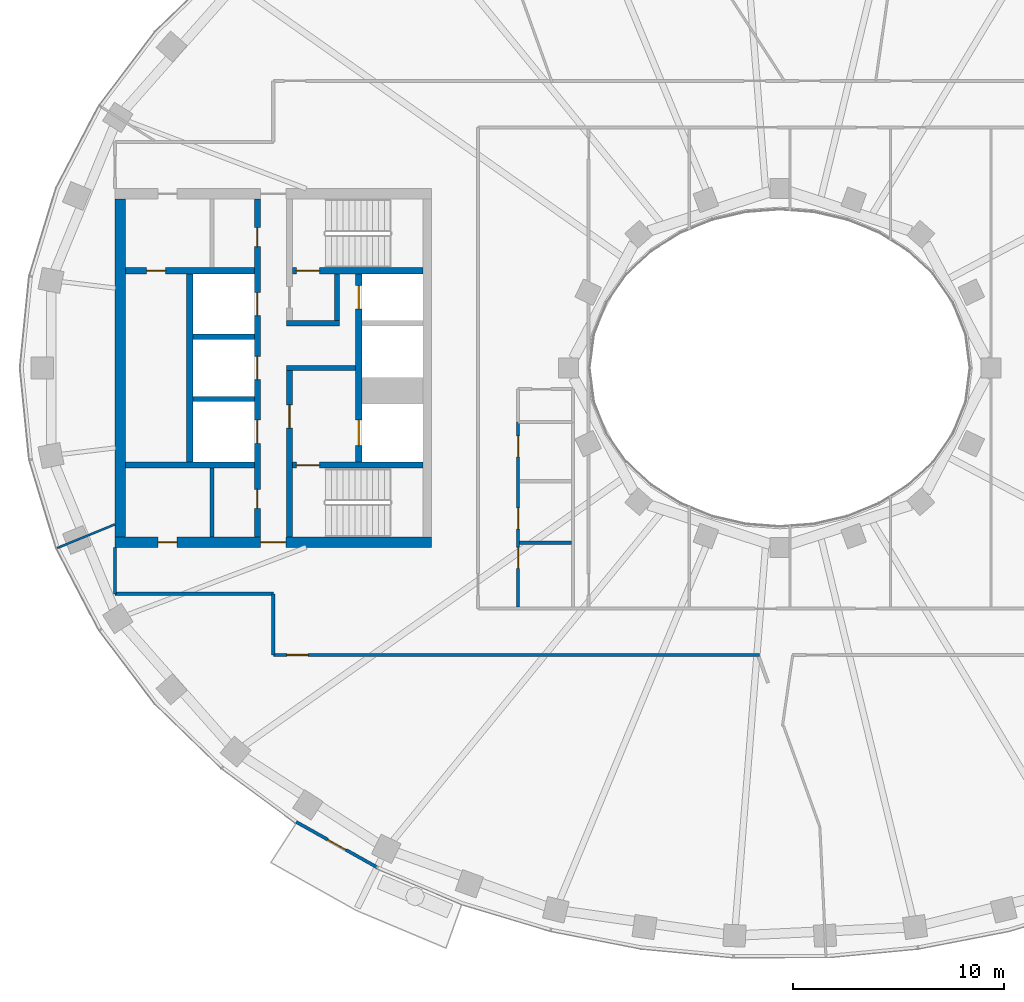
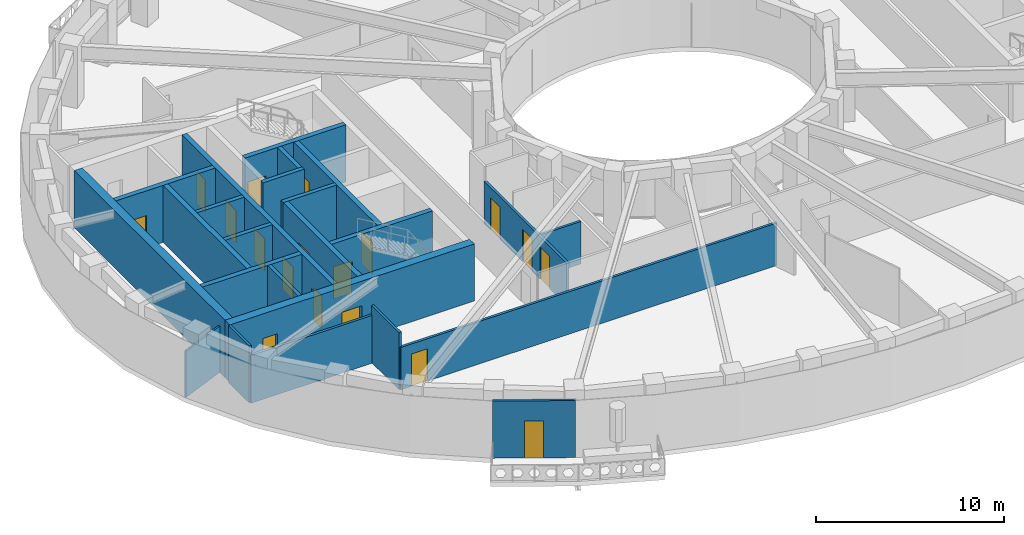
# One storey, part 3 of 15: 24 walls, 18 doors, 18 openings.
"""IFC4 building model written with IfcOpenShell, lengths in metres."""

from ifc_helpers import new_model, si_unit, direction, frame, frame_2d, origin, place, context, subcontext, project, spatial, rectangle, extrude, material, layer, layer_set, type_object, element, fill, save


model = new_model("IFC4")

# Units and contexts
model_context = context("Model", 3, precision=1e-05, world=origin(), true_north=direction((0.0, 1.0)))
body_context = subcontext(model_context, "Body", "Model", "MODEL_VIEW")
ifc_project = project(units=[si_unit("LENGTHUNIT", "METRE"), si_unit("AREAUNIT", "SQUARE_METRE"), si_unit("VOLUMEUNIT", "CUBIC_METRE"), si_unit("PLANEANGLEUNIT", "RADIAN"), si_unit("MASSUNIT", "GRAM", prefix="KILO")], contexts=[model_context])

# Site, building, storey
site_placement = place(None, origin())
site = spatial("IfcSite", under=ifc_project, at=site_placement, CompositionType="ELEMENT")
building_placement = place(site_placement, origin())
building = spatial("IfcBuilding", under=site, at=building_placement, Name="Noorbagh Ring Tower", CompositionType="ELEMENT")
storey_placement = place(building_placement, frame((0.0, 0.0, 277.5)))
storey = spatial("IfcBuildingStorey", under=building, at=storey_placement, Name="L59", CompositionType="ELEMENT", Elevation=277.5)

# Walls
ifc_material_1 = material(Name="Gypsum board on steel studs", Category="steel")
ifc_layer_1 = layer(ifc_material_1, 0.199951171875)
ifc_layer_set_1 = layer_set([ifc_layer_1], Name="Gypsum board on steel studs")
wall_type_1 = type_object("IfcWallType", Name="CORE-PARTITION-200", PredefinedType="PARTITIONING", material=ifc_layer_set_1)
wall_1_placement = place(storey_placement, frame((-26.89990234375, -8.0, 0.0), z_axis=(0.0, 0.0, 1.0), x_axis=(0.0, 1.0, 0.0)))
element("IfcWall", 1, at=wall_1_placement, inside=storey, type_object=wall_type_1, Name="Core partition W", PredefinedType="PARTITIONING", context=body_context, shape_type="SweptSolid", body=[
    extrude(rectangle(XDim=3.25, YDim=0.199951171875, at=frame_2d((1.625, 0.0))), origin(), (0.0, 0.0, 1.0), 3.699951171875),
])
ifc_material_2 = material(Name="Concrete C60/75", Category="concrete")
ifc_layer_2 = layer(ifc_material_2, 0.25)
ifc_layer_set_2 = layer_set([ifc_layer_2], Name="Concrete C60/75")
wall_type_2 = type_object("IfcWallType", Name="CORE-WALL-250-C60-75-EI120", PredefinedType="SHEAR", material=ifc_layer_set_2)
for number, where, z_axis, x_axis, name in (
    (2, (-24.89990234375, -1.47509765625, 0.0), (0.0, 0.0, 1.0), (-1.0, 0.0, 0.0), "Core wall W"),
    (3, (-24.89990234375, 1.47509765625, 0.0), (0.0, 0.0, 1.0), (-1.0, 0.0, 0.0), "Core wall W"),
):
    element("IfcWall", number, at=place(storey_placement, frame(where, z_axis=z_axis, x_axis=x_axis)), inside=storey, type_object=wall_type_2, Name=name, PredefinedType="SHEAR", context=body_context, shape_type="SweptSolid", body=[
        extrude(rectangle(XDim=2.900146484375, YDim=0.25, at=frame_2d((1.4501953125, 0.0))), origin(), (0.0, 0.0, 1.0), 3.699951171875),
    ])
ifc_material_3 = material(Name="Concrete C60/75", Category="concrete")
ifc_layer_3 = layer(ifc_material_3, 0.25)
ifc_layer_set_3 = layer_set([ifc_layer_3], Name="Concrete C60/75")
wall_type_3 = type_object("IfcWallType", Name="CORE-WALL-250-C60-75-EI240", PredefinedType="SHEAR", material=ifc_layer_set_3)
wall_2_placement = place(storey_placement, frame((-20.10009765625, 0.0, 0.0), z_axis=(0.0, 0.0, 1.0), x_axis=(-1.0, 0.0, 0.0)))
element("IfcWall", 4, at=wall_2_placement, inside=storey, type_object=wall_type_3, Name="Core wall W", PredefinedType="SHEAR", context=body_context, shape_type="SweptSolid", body=[
    extrude(rectangle(XDim=3.27978515625, YDim=0.25, at=frame_2d((1.639892578125, 0.0))), origin(), (0.0, 0.0, 1.0), 3.699951171875),
])
wall_3_placement = place(storey_placement, frame((-20.85009765625, 2.125, 0.0), z_axis=(0.0, 0.0, 1.0), x_axis=(-1.0, 0.0, 0.0)))
element("IfcWall", 5, at=wall_3_placement, inside=storey, type_object=wall_type_3, Name="Core wall W", PredefinedType="SHEAR", context=body_context, shape_type="SweptSolid", body=[
    extrude(rectangle(XDim=2.52978515625, YDim=0.25, at=frame_2d((1.264892578125, 0.0))), origin(), (0.0, 0.0, 1.0), 3.699951171875),
])
wall_4_placement = place(storey_placement, frame((-20.97509765625, 2.25, 0.0), z_axis=(0.0, 0.0, 1.0), x_axis=(0.0, 1.0, 0.0)))
element("IfcWall", 6, at=wall_4_placement, inside=storey, type_object=wall_type_3, Name="Core wall W", PredefinedType="SHEAR", context=body_context, shape_type="SweptSolid", body=[
    extrude(rectangle(XDim=2.199951171875, YDim=0.25, at=frame_2d((1.10009765625, 0.0))), origin(), (0.0, 0.0, 1.0), 3.699951171875),
])
ifc_material_4 = material(Name="Concrete C60/75", Category="concrete")
ifc_layer_4 = layer(ifc_material_4, 0.300048828125)
ifc_layer_set_4 = layer_set([ifc_layer_4], Name="Concrete C60/75")
wall_type_4 = type_object("IfcWallType", Name="CORE-WALL-300-C60-75-EI120", PredefinedType="SHEAR", material=ifc_layer_set_4)
wall_5_placement = place(storey_placement, frame((-27.949951171875, -4.449951171875, 0.0), z_axis=(0.0, 0.0, 1.0), x_axis=(0.0, 1.0, 0.0)))
element("IfcWall", 7, at=wall_5_placement, inside=storey, type_object=wall_type_4, Name="Core wall W", PredefinedType="SHEAR", context=body_context, shape_type="SweptSolid", body=[
    extrude(rectangle(XDim=8.89990234375, YDim=0.300048828125, at=frame_2d((4.449951171875, 0.0))), origin(), (0.0, 0.0, 1.0), 3.699951171875),
])

# Wall, openings, doors
wall_6_placement = place(storey_placement, frame((-19.949951171875, -4.449951171875, 0.0), z_axis=(0.0, 0.0, 1.0), x_axis=(0.0, 1.0, 0.0)))
wall_6 = element("IfcWall", 8, at=wall_6_placement, inside=storey, type_object=wall_type_4, Name="Core wall W", PredefinedType="SHEAR", context=body_context, shape_type="SweptSolid", body=[
    extrude(rectangle(XDim=8.89990234375, YDim=0.300048828125, at=frame_2d((4.449951171875, 0.0))), origin(), (0.0, 0.0, 1.0), 3.699951171875),
])
opening_1_placement = place(wall_6_placement, frame((0.77490234375, 0.0, 0.0)))
opening_1 = element("IfcOpeningElement", 9, at=opening_1_placement, cuts=wall_6, Name="Opening L59-CW01", PredefinedType="OPENING", context=body_context, shape_type="SweptSolid", body=[
    extrude(rectangle(XDim=1.199951171875, YDim=2.10009765625, at=frame_2d((0.60009765625, 1.050048828125))), frame((0.0, 0.16015625, 0.0), z_axis=(0.0, -1.0, 0.0), x_axis=(1.0, 0.0, 0.0)), (0.0, 0.0, 1.0), 0.320068359375),
])
opening_2_placement = place(wall_6_placement, frame((7.25, 0.0, 0.0)))
opening_2 = element("IfcOpeningElement", 10, at=opening_2_placement, cuts=wall_6, Name="Opening L59-CW02", PredefinedType="OPENING", context=body_context, shape_type="SweptSolid", body=[
    extrude(rectangle(XDim=1.10009765625, YDim=2.10009765625, at=frame_2d((0.550048828125, 1.050048828125))), frame((0.0, 0.16015625, 0.0), z_axis=(0.0, -1.0, 0.0), x_axis=(1.0, 0.0, 0.0)), (0.0, 0.0, 1.0), 0.320068359375),
])
ifc_material_5 = material(Name="Steel door leaf", Category="steel")
door_type_1 = type_object("IfcDoorType", Name="CORE-DOOR-LD", OperationType="DOUBLE_DOOR_SLIDING", PredefinedType="DOOR", material=ifc_material_5)
door_1_placement = place(opening_2_placement, origin())
door_1 = element("IfcDoor", 11, at=door_1_placement, inside=storey, type_object=door_type_1, Name="Landing door HR1 L59-CW02", OperationType="DOUBLE_DOOR_SLIDING", OverallHeight=2.10009765625, OverallWidth=1.10009765625, PredefinedType="DOOR", context=body_context, shape_type="SweptSolid", body=[
    extrude(rectangle(XDim=1.10009765625, YDim=2.10009765625, at=frame_2d((0.550048828125, 1.050048828125))), frame((0.0, 0.02490234375, 0.0), z_axis=(0.0, -1.0, 0.0), x_axis=(1.0, 0.0, 0.0)), (0.0, 0.0, 1.0), 0.050048828125),
])
fill(opening_2, door_1)
ifc_material_6 = material(Name="Steel door leaf", Category="steel")
door_type_2 = type_object("IfcDoorType", Name="CORE-DOOR-LDW", OperationType="DOUBLE_DOOR_SLIDING", PredefinedType="DOOR", material=ifc_material_6)
door_2_placement = place(opening_1_placement, origin())
door_2 = element("IfcDoor", 12, at=door_2_placement, inside=storey, type_object=door_type_2, Name="Landing door FF1 L59-CW01", OperationType="DOUBLE_DOOR_SLIDING", OverallHeight=2.10009765625, OverallWidth=1.199951171875, PredefinedType="DOOR", context=body_context, shape_type="SweptSolid", body=[
    extrude(rectangle(XDim=1.199951171875, YDim=2.10009765625, at=frame_2d((0.60009765625, 1.050048828125))), frame((0.0, 0.02490234375, 0.0), z_axis=(0.0, -1.0, 0.0), x_axis=(1.0, 0.0, 0.0)), (0.0, 0.0, 1.0), 0.050048828125),
])
fill(opening_1, door_2)

wall_7_placement = place(storey_placement, frame((-24.75, -8.0, 0.0), z_axis=(0.0, 0.0, 1.0), x_axis=(0.0, 1.0, 0.0)))
wall_7 = element("IfcWall", 13, at=wall_7_placement, inside=storey, type_object=wall_type_4, Name="Core wall W", PredefinedType="SHEAR", context=body_context, shape_type="SweptSolid", body=[
    extrude(rectangle(XDim=16.0, YDim=0.300048828125, at=frame_2d((8.0, 0.0))), origin(), (0.0, 0.0, 1.0), 3.699951171875),
])
opening_3_placement = place(wall_7_placement, frame((4.425048828125, 0.0, 0.0)))
opening_3 = element("IfcOpeningElement", 14, at=opening_3_placement, cuts=wall_7, Name="Opening L59-CW03", PredefinedType="OPENING", context=body_context, shape_type="SweptSolid", body=[
    extrude(rectangle(XDim=1.10009765625, YDim=2.10009765625, at=frame_2d((0.550048828125, 1.050048828125))), frame((0.0, 0.16015625, 0.0), z_axis=(0.0, -1.0, 0.0), x_axis=(1.0, 0.0, 0.0)), (0.0, 0.0, 1.0), 0.320068359375),
])
opening_4_placement = place(wall_7_placement, frame((7.449951171875, 0.0, 0.0)))
opening_4 = element("IfcOpeningElement", 15, at=opening_4_placement, cuts=wall_7, Name="Opening L59-CW04", PredefinedType="OPENING", context=body_context, shape_type="SweptSolid", body=[
    extrude(rectangle(XDim=1.10009765625, YDim=2.10009765625, at=frame_2d((0.550048828125, 1.050048828125))), frame((0.0, 0.16015625, 0.0), z_axis=(0.0, -1.0, 0.0), x_axis=(1.0, 0.0, 0.0)), (0.0, 0.0, 1.0), 0.320068359375),
])
opening_5_placement = place(wall_7_placement, frame((10.47509765625, 0.0, 0.0)))
opening_5 = element("IfcOpeningElement", 16, at=opening_5_placement, cuts=wall_7, Name="Opening L59-CW05", PredefinedType="OPENING", context=body_context, shape_type="SweptSolid", body=[
    extrude(rectangle(XDim=1.10009765625, YDim=2.10009765625, at=frame_2d((0.550048828125, 1.050048828125))), frame((0.0, 0.16015625, 0.0), z_axis=(0.0, -1.0, 0.0), x_axis=(1.0, 0.0, 0.0)), (0.0, 0.0, 1.0), 0.320068359375),
])
opening_6_placement = place(wall_7_placement, frame((13.75, 0.0, 0.0)))
opening_6 = element("IfcOpeningElement", 17, at=opening_6_placement, cuts=wall_7, Name="Opening L59-CW12", PredefinedType="OPENING", context=body_context, shape_type="SweptSolid", body=[
    extrude(rectangle(XDim=0.89990234375, YDim=2.10009765625, at=frame_2d((0.449951171875, 1.050048828125))), frame((0.0, 0.16015625, 0.0), z_axis=(0.0, -1.0, 0.0), x_axis=(1.0, 0.0, 0.0)), (0.0, 0.0, 1.0), 0.320068359375),
])
opening_7_placement = place(wall_7_placement, frame((1.35009765625, 0.0, 0.0)))
opening_7 = element("IfcOpeningElement", 18, at=opening_7_placement, cuts=wall_7, Name="Opening L59-CW14", PredefinedType="OPENING", context=body_context, shape_type="SweptSolid", body=[
    extrude(rectangle(XDim=0.89990234375, YDim=2.10009765625, at=frame_2d((0.449951171875, 1.050048828125))), frame((0.0, 0.16015625, 0.0), z_axis=(0.0, -1.0, 0.0), x_axis=(1.0, 0.0, 0.0)), (0.0, 0.0, 1.0), 0.320068359375),
])
ifc_material_7 = material(Name="Steel door leaf", Category="steel")
door_type_3 = type_object("IfcDoorType", Name="CORE-DOOR-DROOM", OperationType="SINGLE_SWING_LEFT", PredefinedType="DOOR", material=ifc_material_7)
door_3_placement = place(opening_6_placement, origin())
door_3 = element("IfcDoor", 19, at=door_3_placement, inside=storey, type_object=door_type_3, Name="Core room door L59-CW12", OperationType="SINGLE_SWING_RIGHT", OverallHeight=2.10009765625, OverallWidth=0.89990234375, PredefinedType="DOOR", context=body_context, shape_type="SweptSolid", body=[
    extrude(rectangle(XDim=0.89990234375, YDim=2.10009765625, at=frame_2d((0.449951171875, 1.050048828125))), frame((0.0, 0.02490234375, 0.0), z_axis=(0.0, -1.0, 0.0), x_axis=(1.0, 0.0, 0.0)), (0.0, 0.0, 1.0), 0.050048828125),
])
fill(opening_6, door_3)
door_4_placement = place(opening_7_placement, origin())
door_4 = element("IfcDoor", 20, at=door_4_placement, inside=storey, type_object=door_type_3, Name="Core room door L59-CW14", OperationType="SINGLE_SWING_LEFT", OverallHeight=2.10009765625, OverallWidth=0.89990234375, PredefinedType="DOOR", context=body_context, shape_type="SweptSolid", body=[
    extrude(rectangle(XDim=0.89990234375, YDim=2.10009765625, at=frame_2d((0.449951171875, 1.050048828125))), frame((0.0, 0.02490234375, 0.0), z_axis=(0.0, -1.0, 0.0), x_axis=(1.0, 0.0, 0.0)), (0.0, 0.0, 1.0), 0.050048828125),
])
fill(opening_7, door_4)
door_5_placement = place(opening_3_placement, origin())
door_5 = element("IfcDoor", 21, at=door_5_placement, inside=storey, type_object=door_type_1, Name="Landing door HR2 L59-CW03", OperationType="DOUBLE_DOOR_SLIDING", OverallHeight=2.10009765625, OverallWidth=1.10009765625, PredefinedType="DOOR", context=body_context, shape_type="SweptSolid", body=[
    extrude(rectangle(XDim=1.10009765625, YDim=2.10009765625, at=frame_2d((0.550048828125, 1.050048828125))), frame((0.0, 0.02490234375, 0.0), z_axis=(0.0, -1.0, 0.0), x_axis=(1.0, 0.0, 0.0)), (0.0, 0.0, 1.0), 0.050048828125),
])
fill(opening_3, door_5)
door_6_placement = place(opening_4_placement, origin())
door_6 = element("IfcDoor", 22, at=door_6_placement, inside=storey, type_object=door_type_1, Name="Landing door HR3 L59-CW04", OperationType="DOUBLE_DOOR_SLIDING", OverallHeight=2.10009765625, OverallWidth=1.10009765625, PredefinedType="DOOR", context=body_context, shape_type="SweptSolid", body=[
    extrude(rectangle(XDim=1.10009765625, YDim=2.10009765625, at=frame_2d((0.550048828125, 1.050048828125))), frame((0.0, 0.02490234375, 0.0), z_axis=(0.0, -1.0, 0.0), x_axis=(1.0, 0.0, 0.0)), (0.0, 0.0, 1.0), 0.050048828125),
])
fill(opening_4, door_6)
door_7_placement = place(opening_5_placement, origin())
door_7 = element("IfcDoor", 23, at=door_7_placement, inside=storey, type_object=door_type_1, Name="Landing door HR4 L59-CW05", OperationType="DOUBLE_DOOR_SLIDING", OverallHeight=2.10009765625, OverallWidth=1.10009765625, PredefinedType="DOOR", context=body_context, shape_type="SweptSolid", body=[
    extrude(rectangle(XDim=1.10009765625, YDim=2.10009765625, at=frame_2d((0.550048828125, 1.050048828125))), frame((0.0, 0.02490234375, 0.0), z_axis=(0.0, -1.0, 0.0), x_axis=(1.0, 0.0, 0.0)), (0.0, 0.0, 1.0), 0.050048828125),
])
fill(opening_5, door_7)

# Wall, opening, door
ifc_material_8 = material(Name="Concrete C60/75", Category="concrete")
ifc_layer_5 = layer(ifc_material_8, 0.300048828125)
ifc_layer_set_5 = layer_set([ifc_layer_5], Name="Concrete C60/75")
wall_type_5 = type_object("IfcWallType", Name="CORE-WALL-300-C60-75-EI240", PredefinedType="SHEAR", material=ifc_layer_set_5)
wall_8_placement = place(storey_placement, frame((-24.89990234375, 4.60009765625, 0.0), z_axis=(0.0, 0.0, 1.0), x_axis=(-1.0, 0.0, 0.0)))
wall_8 = element("IfcWall", 24, at=wall_8_placement, inside=storey, type_object=wall_type_5, Name="Core wall W", PredefinedType="SHEAR", context=body_context, shape_type="SweptSolid", body=[
    extrude(rectangle(XDim=6.10009765625, YDim=0.300048828125, at=frame_2d((3.050048828125, 0.0))), origin(), (0.0, 0.0, 1.0), 3.699951171875),
])
opening_8_placement = place(wall_8_placement, frame((4.199951171875, 0.0, 0.0)))
opening_8 = element("IfcOpeningElement", 25, at=opening_8_placement, cuts=wall_8, Name="Opening L59-CW16", PredefinedType="OPENING", context=body_context, shape_type="SweptSolid", body=[
    extrude(rectangle(XDim=0.89990234375, YDim=2.10009765625, at=frame_2d((0.449951171875, 1.050048828125))), frame((0.0, 0.16015625, 0.0), z_axis=(0.0, -1.0, 0.0), x_axis=(1.0, 0.0, 0.0)), (0.0, 0.0, 1.0), 0.320068359375),
])
door_8_placement = place(opening_8_placement, origin())
door_8 = element("IfcDoor", 26, at=door_8_placement, inside=storey, type_object=door_type_3, Name="Core room door L59-CW16", OperationType="SINGLE_SWING_LEFT", OverallHeight=2.10009765625, OverallWidth=0.89990234375, PredefinedType="DOOR", context=body_context, shape_type="SweptSolid", body=[
    extrude(rectangle(XDim=0.89990234375, YDim=2.10009765625, at=frame_2d((0.449951171875, 1.050048828125))), frame((0.0, 0.02490234375, 0.0), z_axis=(0.0, -1.0, 0.0), x_axis=(1.0, 0.0, 0.0)), (0.0, 0.0, 1.0), 0.050048828125),
])
fill(opening_8, door_8)

# Wall
wall_9_placement = place(storey_placement, frame((-24.89990234375, -4.60009765625, 0.0), z_axis=(0.0, 0.0, 1.0), x_axis=(-1.0, 0.0, 0.0)))
element("IfcWall", 27, at=wall_9_placement, inside=storey, type_object=wall_type_5, Name="Core wall W", PredefinedType="SHEAR", context=body_context, shape_type="SweptSolid", body=[
    extrude(rectangle(XDim=6.10009765625, YDim=0.300048828125, at=frame_2d((3.050048828125, 0.0))), origin(), (0.0, 0.0, 1.0), 3.699951171875),
])

# Wall, opening, door
wall_10_placement = place(storey_placement, frame((-23.22998046875, -8.0, 0.0), z_axis=(0.0, 0.0, 1.0), x_axis=(0.0, 1.0, 0.0)))
wall_10 = element("IfcWall", 28, at=wall_10_placement, inside=storey, type_object=wall_type_5, Name="Core wall W", PredefinedType="SHEAR", context=body_context, shape_type="SweptSolid", body=[
    extrude(rectangle(XDim=7.875, YDim=0.300048828125, at=frame_2d((3.9375, 0.0))), origin(), (0.0, 0.0, 1.0), 3.699951171875),
])
opening_9_placement = place(wall_10_placement, frame((5.14990234375, 0.0, 0.0)))
opening_9 = element("IfcOpeningElement", 29, at=opening_9_placement, cuts=wall_10, Name="Opening L59-CW08", PredefinedType="OPENING", context=body_context, shape_type="SweptSolid", body=[
    extrude(rectangle(XDim=1.10009765625, YDim=2.10009765625, at=frame_2d((0.550048828125, 1.050048828125))), frame((0.0, 0.16015625, 0.0), z_axis=(0.0, -1.0, 0.0), x_axis=(1.0, 0.0, 0.0)), (0.0, 0.0, 1.0), 0.320068359375),
])
ifc_material_9 = material(Name="Steel door leaf", Category="steel")
door_type_4 = type_object("IfcDoorType", Name="CORE-DOOR-DFF", OperationType="SINGLE_SWING_LEFT", PredefinedType="DOOR", material=ifc_material_9)
door_9_placement = place(opening_9_placement, origin())
door_9 = element("IfcDoor", 30, at=door_9_placement, inside=storey, type_object=door_type_4, Name="Firefighting lobby door L59-CW08", OperationType="SINGLE_SWING_LEFT", OverallHeight=2.10009765625, OverallWidth=1.10009765625, PredefinedType="DOOR", context=body_context, shape_type="SweptSolid", body=[
    extrude(rectangle(XDim=1.10009765625, YDim=2.10009765625, at=frame_2d((0.550048828125, 1.050048828125))), frame((0.0, 0.02490234375, 0.0), z_axis=(0.0, -1.0, 0.0), x_axis=(1.0, 0.0, 0.0)), (0.0, 0.0, 1.0), 0.050048828125),
])
fill(opening_9, door_9)

wall_11_placement = place(storey_placement, frame((-16.89990234375, 4.60009765625, 0.0), z_axis=(0.0, 0.0, 1.0), x_axis=(-1.0, 0.0, 0.0)))
wall_11 = element("IfcWall", 31, at=wall_11_placement, inside=storey, type_object=wall_type_5, Name="Core wall W", PredefinedType="SHEAR", context=body_context, shape_type="SweptSolid", body=[
    extrude(rectangle(XDim=6.18017578125, YDim=0.300048828125, at=frame_2d((3.090087890625, 0.0))), origin(), (0.0, 0.0, 1.0), 3.699951171875),
])
opening_10_placement = place(wall_11_placement, frame((4.89990234375, 0.0, 0.0)))
opening_10 = element("IfcOpeningElement", 32, at=opening_10_placement, cuts=wall_11, Name="Opening L59-CW06", PredefinedType="OPENING", context=body_context, shape_type="SweptSolid", body=[
    extrude(rectangle(XDim=1.10009765625, YDim=2.10009765625, at=frame_2d((0.550048828125, 1.050048828125))), frame((0.0, 0.16015625, 0.0), z_axis=(0.0, -1.0, 0.0), x_axis=(1.0, 0.0, 0.0)), (0.0, 0.0, 1.0), 0.320068359375),
])
ifc_material_10 = material(Name="Steel door leaf", Category="steel")
door_type_5 = type_object("IfcDoorType", Name="CORE-DOOR-DSTAIR", OperationType="SINGLE_SWING_LEFT", PredefinedType="DOOR", material=ifc_material_10)
door_10_placement = place(opening_10_placement, origin())
door_10 = element("IfcDoor", 33, at=door_10_placement, inside=storey, type_object=door_type_5, Name="Stair door ST1 L59-CW06", OperationType="SINGLE_SWING_RIGHT", OverallHeight=2.10009765625, OverallWidth=1.10009765625, PredefinedType="DOOR", context=body_context, shape_type="SweptSolid", body=[
    extrude(rectangle(XDim=1.10009765625, YDim=2.10009765625, at=frame_2d((0.550048828125, 1.050048828125))), frame((0.0, 0.02490234375, 0.0), z_axis=(0.0, -1.0, 0.0), x_axis=(1.0, 0.0, 0.0)), (0.0, 0.0, 1.0), 0.050048828125),
])
fill(opening_10, door_10)

wall_12_placement = place(storey_placement, frame((-16.89990234375, -4.60009765625, 0.0), z_axis=(0.0, 0.0, 1.0), x_axis=(-1.0, 0.0, 0.0)))
wall_12 = element("IfcWall", 34, at=wall_12_placement, inside=storey, type_object=wall_type_5, Name="Core wall W", PredefinedType="SHEAR", context=body_context, shape_type="SweptSolid", body=[
    extrude(rectangle(XDim=6.18017578125, YDim=0.300048828125, at=frame_2d((3.090087890625, 0.0))), origin(), (0.0, 0.0, 1.0), 3.699951171875),
])
opening_11_placement = place(wall_12_placement, frame((4.89990234375, 0.0, 0.0)))
opening_11 = element("IfcOpeningElement", 35, at=opening_11_placement, cuts=wall_12, Name="Opening L59-CW07", PredefinedType="OPENING", context=body_context, shape_type="SweptSolid", body=[
    extrude(rectangle(XDim=1.10009765625, YDim=2.10009765625, at=frame_2d((0.550048828125, 1.050048828125))), frame((0.0, 0.16015625, 0.0), z_axis=(0.0, -1.0, 0.0), x_axis=(1.0, 0.0, 0.0)), (0.0, 0.0, 1.0), 0.320068359375),
])
door_11_placement = place(opening_11_placement, origin())
door_11 = element("IfcDoor", 36, at=door_11_placement, inside=storey, type_object=door_type_5, Name="Stair door ST2 L59-CW07", OperationType="SINGLE_SWING_LEFT", OverallHeight=2.10009765625, OverallWidth=1.10009765625, PredefinedType="DOOR", context=body_context, shape_type="SweptSolid", body=[
    extrude(rectangle(XDim=1.10009765625, YDim=2.10009765625, at=frame_2d((0.550048828125, 1.050048828125))), frame((0.0, 0.02490234375, 0.0), z_axis=(0.0, -1.0, 0.0), x_axis=(1.0, 0.0, 0.0)), (0.0, 0.0, 1.0), 0.050048828125),
])
fill(opening_11, door_11)

# Wall, openings, doors
ifc_material_11 = material(Name="Concrete C60/75", Category="concrete")
ifc_layer_6 = layer(ifc_material_11, 0.5)
ifc_layer_set_6 = layer_set([ifc_layer_6], Name="Concrete C60/75")
wall_type_6 = type_object("IfcWallType", Name="CORE-WALL-500-C60-75-EI240", PredefinedType="SHEAR", material=ifc_layer_set_6)
wall_13_placement = place(storey_placement, frame((-16.5, -8.25, 0.0), z_axis=(0.0, 0.0, 1.0), x_axis=(-1.0, 0.0, 0.0)))
wall_13 = element("IfcWall", 37, at=wall_13_placement, inside=storey, type_object=wall_type_6, Name="Core wall W", PredefinedType="SHEAR", context=body_context, shape_type="SweptSolid", body=[
    extrude(rectangle(XDim=15.0, YDim=0.5, at=frame_2d((7.5, 0.0))), origin(), (0.0, 0.0, 1.0), 3.699951171875),
])
opening_12_placement = place(wall_13_placement, frame((6.89990234375, 0.0, 0.0)))
opening_12 = element("IfcOpeningElement", 38, at=opening_12_placement, cuts=wall_13, Name="Opening L59-CW11", PredefinedType="OPENING", context=body_context, shape_type="SweptSolid", body=[
    extrude(rectangle(XDim=1.199951171875, YDim=2.10009765625, at=frame_2d((0.60009765625, 1.050048828125))), frame((0.0, 0.260009765625, 0.0), z_axis=(0.0, -1.0, 0.0), x_axis=(1.0, 0.0, 0.0)), (0.0, 0.0, 1.0), 0.52001953125),
])
opening_13_placement = place(wall_13_placement, frame((12.050048828125, 0.0, 0.0)))
opening_13 = element("IfcOpeningElement", 39, at=opening_13_placement, cuts=wall_13, Name="Opening L59-CW15", PredefinedType="OPENING", context=body_context, shape_type="SweptSolid", body=[
    extrude(rectangle(XDim=0.89990234375, YDim=2.10009765625, at=frame_2d((0.449951171875, 1.050048828125))), frame((0.0, 0.260009765625, 0.0), z_axis=(0.0, -1.0, 0.0), x_axis=(1.0, 0.0, 0.0)), (0.0, 0.0, 1.0), 0.52001953125),
])
door_12_placement = place(opening_13_placement, origin())
door_12 = element("IfcDoor", 40, at=door_12_placement, inside=storey, type_object=door_type_3, Name="Core room door L59-CW15", OperationType="SINGLE_SWING_LEFT", OverallHeight=2.10009765625, OverallWidth=0.89990234375, PredefinedType="DOOR", context=body_context, shape_type="SweptSolid", body=[
    extrude(rectangle(XDim=0.89990234375, YDim=2.10009765625, at=frame_2d((0.449951171875, 1.050048828125))), frame((0.0, 0.02490234375, 0.0), z_axis=(0.0, -1.0, 0.0), x_axis=(1.0, 0.0, 0.0)), (0.0, 0.0, 1.0), 0.050048828125),
])
fill(opening_13, door_12)
ifc_material_12 = material(Name="Steel door leaf", Category="steel")
door_type_6 = type_object("IfcDoorType", Name="CORE-DOOR-PORT", OperationType="DOUBLE_DOOR_DOUBLE_SWING", PredefinedType="DOOR", material=ifc_material_12)
door_13_placement = place(opening_12_placement, origin())
door_13 = element("IfcDoor", 41, at=door_13_placement, inside=storey, type_object=door_type_6, Name="Core entrance door L59-CW11", OperationType="DOUBLE_DOOR_DOUBLE_SWING", OverallHeight=2.10009765625, OverallWidth=1.199951171875, PredefinedType="DOOR", context=body_context, shape_type="SweptSolid", body=[
    extrude(rectangle(XDim=1.199951171875, YDim=2.10009765625, at=frame_2d((0.60009765625, 1.050048828125))), frame((0.0, 0.02490234375, 0.0), z_axis=(0.0, -1.0, 0.0), x_axis=(1.0, 0.0, 0.0)), (0.0, 0.0, 1.0), 0.050048828125),
])
fill(opening_12, door_13)

# Walls
wall_14_placement = place(storey_placement, frame((-31.25, -8.0, 0.0), z_axis=(0.0, 0.0, 1.0), x_axis=(0.0, 1.0, 0.0)))
element("IfcWall", 42, at=wall_14_placement, inside=storey, type_object=wall_type_6, Name="Core wall W", PredefinedType="SHEAR", context=body_context, shape_type="SweptSolid", body=[
    extrude(rectangle(XDim=16.0, YDim=0.5, at=frame_2d((8.0, 0.0))), origin(), (0.0, 0.0, 1.0), 3.699951171875),
])
ifc_material_13 = material(Name="Gypsum board on steel studs", Category="steel")
ifc_layer_7 = layer(ifc_material_13, 0.14990234375)
ifc_layer_set_7 = layer_set([ifc_layer_7], Name="Gypsum board on steel studs")
wall_type_7 = type_object("IfcWallType", Name="CORRIDOR PARTITION 150 EI 30", PredefinedType="PARTITIONING", material=ifc_layer_set_7)
wall_15_placement = place(storey_placement, frame((-31.5, -10.699951171875, 0.0), z_axis=(0.0, 0.0, 1.0), x_axis=(0.0, 1.0, 0.0)))
element("IfcWall", 43, at=wall_15_placement, inside=storey, type_object=wall_type_7, Name="L59/wall/P03", PredefinedType="PARTITIONING", context=body_context, shape_type="SweptSolid", body=[
    extrude(rectangle(XDim=2.199951171875, YDim=0.14990234375, at=frame_2d((1.10009765625, 0.0))), origin(), (0.0, 0.0, 1.0), 3.699951171875),
])
wall_16_placement = place(storey_placement, frame((-31.5, -10.699951171875, 0.0), z_axis=(0.0, 0.0, 1.0), x_axis=(1.0, 0.0, 0.0)))
element("IfcWall", 44, at=wall_16_placement, inside=storey, type_object=wall_type_7, Name="L59/wall/P04", PredefinedType="PARTITIONING", context=body_context, shape_type="SweptSolid", body=[
    extrude(rectangle(XDim=7.5, YDim=0.14990234375, at=frame_2d((3.75, 0.0))), origin(), (0.0, 0.0, 1.0), 3.10009765625),
])
wall_17_placement = place(storey_placement, frame((-24.0, -13.60009765625, 0.0), z_axis=(0.0, 0.0, 1.0), x_axis=(0.0, 1.0, 0.0)))
element("IfcWall", 45, at=wall_17_placement, inside=storey, type_object=wall_type_7, Name="L59/wall/P07", PredefinedType="PARTITIONING", context=body_context, shape_type="SweptSolid", body=[
    extrude(rectangle(XDim=2.900146484375, YDim=0.14990234375, at=frame_2d((1.4501953125, 0.0))), origin(), (0.0, 0.0, 1.0), 3.699951171875),
])

# Wall, opening, door
wall_18_placement = place(storey_placement, frame((-24.0, -13.60009765625, 0.0), z_axis=(0.0, 0.0, 1.0), x_axis=(1.0, 0.0, 0.0)))
wall_18 = element("IfcWall", 46, at=wall_18_placement, inside=storey, type_object=wall_type_7, Name="L59/wall/P08", PredefinedType="PARTITIONING", context=body_context, shape_type="SweptSolid", body=[
    extrude(rectangle(XDim=23.050048828125, YDim=0.14990234375, at=frame_2d((11.52490234375, 0.0))), origin(), (0.0, 0.0, 1.0), 2.75),
])
opening_14_placement = place(wall_18_placement, frame((0.64990234375, 0.0, 0.0)))
opening_14 = element("IfcOpeningElement", 47, at=opening_14_placement, cuts=wall_18, Name="Opening D1", PredefinedType="OPENING", context=body_context, shape_type="SweptSolid", body=[
    extrude(rectangle(XDim=1.0, YDim=2.10009765625, at=frame_2d((0.5, 1.050048828125))), frame((0.0, 0.0849609375, 0.0), z_axis=(0.0, -1.0, 0.0), x_axis=(1.0, 0.0, 0.0)), (0.0, 0.0, 1.0), 0.169921875),
])
ifc_material_14 = material(Name="Timber, painted", Category="wood")
door_type_7 = type_object("IfcDoorType", Name="DOOR 1000 X 2100 FD30", OperationType="SINGLE_SWING_LEFT", PredefinedType="DOOR", material=ifc_material_14)
door_14_placement = place(opening_14_placement, origin())
door_14 = element("IfcDoor", 48, at=door_14_placement, inside=storey, type_object=door_type_7, Name="L59-D07", OperationType="SINGLE_SWING_LEFT", OverallHeight=2.10009765625, OverallWidth=1.0, PredefinedType="DOOR", context=body_context, shape_type="SweptSolid", body=[
    extrude(rectangle(XDim=1.0, YDim=2.10009765625, at=frame_2d((0.5, 1.050048828125))), frame((0.0, 0.02490234375, 0.0), z_axis=(0.0, -1.0, 0.0), x_axis=(1.0, 0.0, 0.0)), (0.0, 0.0, 1.0), 0.050048828125),
])
fill(opening_14, door_14)

# Wall, openings, doors
wall_19_placement = place(storey_placement, frame((-12.39990234375, -11.324951171875, 0.0), z_axis=(0.0, 0.0, 1.0), x_axis=(0.0, 1.0, 0.0)))
wall_19 = element("IfcWall", 49, at=wall_19_placement, inside=storey, type_object=wall_type_7, Name="L59/wall/P15", PredefinedType="PARTITIONING", context=body_context, shape_type="SweptSolid", body=[
    extrude(rectangle(XDim=8.764892578125, YDim=0.14990234375, at=frame_2d((4.38232421875, 0.0))), origin(), (0.0, 0.0, 1.0), 2.75),
])
opening_15_placement = place(wall_19_placement, frame((1.824951171875, 0.0, 0.0)))
opening_15 = element("IfcOpeningElement", 50, at=opening_15_placement, cuts=wall_19, Name="Opening D3", PredefinedType="OPENING", context=body_context, shape_type="SweptSolid", body=[
    extrude(rectangle(XDim=1.0, YDim=2.10009765625, at=frame_2d((0.5, 1.050048828125))), frame((0.0, 0.0849609375, 0.0), z_axis=(0.0, -1.0, 0.0), x_axis=(1.0, 0.0, 0.0)), (0.0, 0.0, 1.0), 0.169921875),
])
opening_16_placement = place(wall_19_placement, frame((3.695068359375, 0.0, 0.0)))
opening_16 = element("IfcOpeningElement", 51, at=opening_16_placement, cuts=wall_19, Name="Opening D3", PredefinedType="OPENING", context=body_context, shape_type="SweptSolid", body=[
    extrude(rectangle(XDim=1.0, YDim=2.10009765625, at=frame_2d((0.5, 1.050048828125))), frame((0.0, 0.0849609375, 0.0), z_axis=(0.0, -1.0, 0.0), x_axis=(1.0, 0.0, 0.0)), (0.0, 0.0, 1.0), 0.169921875),
])
opening_17_placement = place(wall_19_placement, frame((7.10693359375, 0.0, 0.0)))
opening_17 = element("IfcOpeningElement", 52, at=opening_17_placement, cuts=wall_19, Name="Opening D3", PredefinedType="OPENING", context=body_context, shape_type="SweptSolid", body=[
    extrude(rectangle(XDim=1.0, YDim=2.10009765625, at=frame_2d((0.5, 1.050048828125))), frame((0.0, 0.0849609375, 0.0), z_axis=(0.0, -1.0, 0.0), x_axis=(1.0, 0.0, 0.0)), (0.0, 0.0, 1.0), 0.169921875),
])
ifc_material_15 = material(Name="Timber, painted", Category="wood")
door_type_8 = type_object("IfcDoorType", Name="DOOR 1000 X 2100 WC", OperationType="SINGLE_SWING_LEFT", PredefinedType="DOOR", material=ifc_material_15)
door_15_placement = place(opening_15_placement, origin())
door_15 = element("IfcDoor", 53, at=door_15_placement, inside=storey, type_object=door_type_8, Name="L59-D02", OperationType="SINGLE_SWING_RIGHT", OverallHeight=2.10009765625, OverallWidth=1.0, PredefinedType="DOOR", context=body_context, shape_type="SweptSolid", body=[
    extrude(rectangle(XDim=1.0, YDim=2.10009765625, at=frame_2d((0.5, 1.050048828125))), frame((0.0, 0.02490234375, 0.0), z_axis=(0.0, -1.0, 0.0), x_axis=(1.0, 0.0, 0.0)), (0.0, 0.0, 1.0), 0.050048828125),
])
fill(opening_15, door_15)
door_16_placement = place(opening_16_placement, origin())
door_16 = element("IfcDoor", 54, at=door_16_placement, inside=storey, type_object=door_type_8, Name="L59-D03", OperationType="SINGLE_SWING_LEFT", OverallHeight=2.10009765625, OverallWidth=1.0, PredefinedType="DOOR", context=body_context, shape_type="SweptSolid", body=[
    extrude(rectangle(XDim=1.0, YDim=2.10009765625, at=frame_2d((0.5, 1.050048828125))), frame((0.0, 0.02490234375, 0.0), z_axis=(0.0, -1.0, 0.0), x_axis=(1.0, 0.0, 0.0)), (0.0, 0.0, 1.0), 0.050048828125),
])
fill(opening_16, door_16)
door_17_placement = place(opening_17_placement, origin())
door_17 = element("IfcDoor", 55, at=door_17_placement, inside=storey, type_object=door_type_8, Name="L59-D04", OperationType="SINGLE_SWING_RIGHT", OverallHeight=2.10009765625, OverallWidth=1.0, PredefinedType="DOOR", context=body_context, shape_type="SweptSolid", body=[
    extrude(rectangle(XDim=1.0, YDim=2.10009765625, at=frame_2d((0.5, 1.050048828125))), frame((0.0, 0.02490234375, 0.0), z_axis=(0.0, -1.0, 0.0), x_axis=(1.0, 0.0, 0.0)), (0.0, 0.0, 1.0), 0.050048828125),
])
fill(opening_17, door_17)

# Wall
wall_20_placement = place(storey_placement, frame((-12.324951171875, -8.280029296875, 0.0), z_axis=(0.0, 0.0, 1.0), x_axis=(1.0, 0.0, 0.0)))
element("IfcWall", 56, at=wall_20_placement, inside=storey, type_object=wall_type_7, Name="L59/wall/P16", PredefinedType="PARTITIONING", context=body_context, shape_type="SweptSolid", body=[
    extrude(rectangle(XDim=2.449951171875, YDim=0.14990234375, at=frame_2d((1.22509765625, 0.0))), origin(), (0.0, 0.0, 1.0), 2.75),
])

# Wall, opening, door
ifc_material_16 = material(Name="Insulated aluminium clad panel", Category="aluminium")
ifc_layer_8 = layer(ifc_material_16, 0.14990234375)
ifc_layer_set_8 = layer_set([ifc_layer_8], Name="Insulated aluminium clad panel")
wall_type_8 = type_object("IfcWallType", Name="ENV-WALL-DOOR", PredefinedType="STANDARD", material=ifc_layer_set_8)
wall_21_placement = place(storey_placement, frame((-22.913330078125, -21.508544921875, 0.0), z_axis=(0.0, 0.0, 1.0), x_axis=(0.872046572975, -0.489422899509, 0.0)))
wall_21 = element("IfcWall", 57, at=wall_21_placement, inside=storey, type_object=wall_type_8, Name="Balcony door wall chord 30", PredefinedType="STANDARD", context=body_context, shape_type="SweptSolid", body=[
    extrude(rectangle(XDim=4.425537109375, YDim=0.14990234375, at=frame_2d((2.212890625, 0.0))), origin(), (0.0, 0.0, 1.0), 3.699951171875),
])
opening_18_placement = place(wall_21_placement, frame((1.712646484375, 0.0, 0.0)))
opening_18 = element("IfcOpeningElement", 58, at=opening_18_placement, cuts=wall_21, Name="Opening D-BL", PredefinedType="OPENING", context=body_context, shape_type="SweptSolid", body=[
    extrude(rectangle(XDim=1.0, YDim=2.39990234375, at=frame_2d((0.5, 1.199951171875))), frame((0.0, 0.0849609375, 0.0), z_axis=(0.0, -1.0, 0.0), x_axis=(1.0, 0.0, 0.0)), (0.0, 0.0, 1.0), 0.169921875),
])
ifc_material_17 = material(Name="Aluminium and glass", Category="aluminium")
door_type_9 = type_object("IfcDoorType", Name="ENV-DOOR-BALCONY", OperationType="SINGLE_SWING_LEFT", PredefinedType="DOOR", material=ifc_material_17)
door_18_placement = place(opening_18_placement, origin())
door_18 = element("IfcDoor", 59, at=door_18_placement, inside=storey, type_object=door_type_9, Name="Balcony door chord 30", OperationType="SINGLE_SWING_RIGHT", OverallHeight=2.39990234375, OverallWidth=1.0, PredefinedType="DOOR", context=body_context, shape_type="SweptSolid", body=[
    extrude(rectangle(XDim=1.0, YDim=2.39990234375, at=frame_2d((0.5, 1.199951171875))), frame((0.0, 0.02490234375, 0.0), z_axis=(0.0, -1.0, 0.0), x_axis=(1.0, 0.0, 0.0)), (0.0, 0.0, 1.0), 0.050048828125),
])
fill(opening_18, door_18)

# Wall
ifc_material_18 = material(Name="Gypsum board on steel studs", Category="steel")
ifc_layer_9 = layer(ifc_material_18, 0.10009765625)
ifc_layer_set_9 = layer_set([ifc_layer_9], Name="Gypsum board on steel studs")
wall_type_9 = type_object("IfcWallType", Name="PARTITION 100 GYPSUM", PredefinedType="PARTITIONING", material=ifc_layer_set_9)
wall_22_placement = place(storey_placement, frame((-34.23388671875, -8.530029296875, 0.0), z_axis=(0.0, 0.0, 1.0), x_axis=(0.925344112436, 0.379128307542, 0.0)))
element("IfcWall", 60, at=wall_22_placement, inside=storey, type_object=wall_type_9, Name="L59/wall/P01", PredefinedType="PARTITIONING", context=body_context, shape_type="SweptSolid", body=[
    extrude(rectangle(XDim=2.954345703125, YDim=0.10009765625, at=frame_2d((1.47705078125, 0.0))), origin(), (0.0, 0.0, 1.0), 3.0),
])

save(model, "model.ifc")
